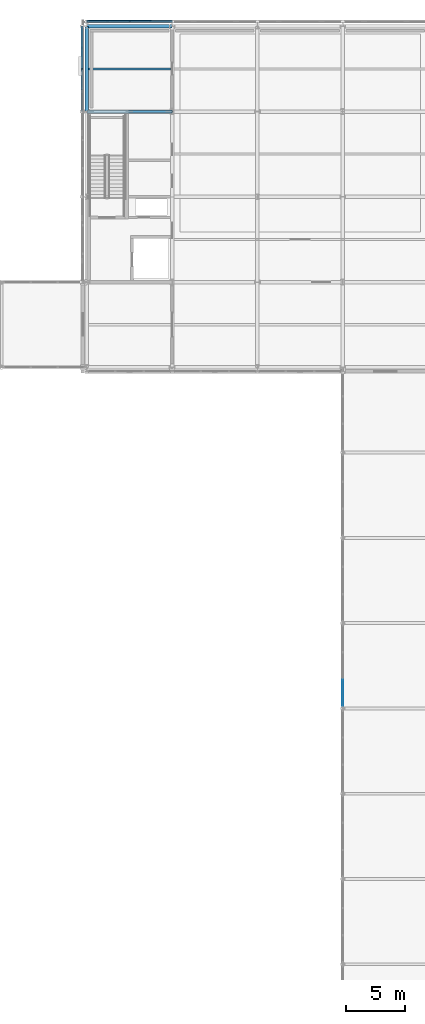
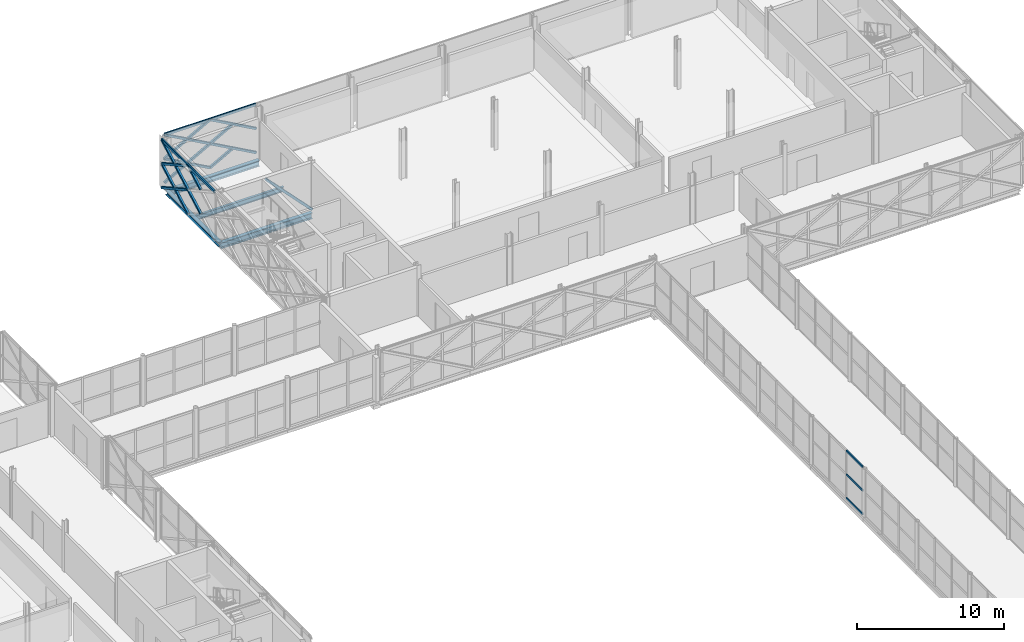
# One storey, part 58 of 146: 24 members, 4 beams, 1 element without a shape of its own.
"""IFC4 building model written with IfcOpenShell, lengths in metres."""

from ifc_helpers import new_model, si_unit, direction, frame, origin, origin_2d, place, context, subcontext, project, spatial, rectangle, hollow_rectangle, i_section, extrude, material, material_profile, profile_set, type_object, element, aggregate, save


model = new_model("IFC4")

# Units and contexts
model_context = context("Model", 3, precision=1e-05, world=origin(), true_north=direction((0.0, 1.0)))
body_context = subcontext(model_context, "Body", "Model", "MODEL_VIEW")
ifc_project = project(units=[si_unit("LENGTHUNIT", "METRE"), si_unit("AREAUNIT", "SQUARE_METRE"), si_unit("VOLUMEUNIT", "CUBIC_METRE"), si_unit("PLANEANGLEUNIT", "RADIAN"), si_unit("MASSUNIT", "GRAM", prefix="KILO")], contexts=[model_context])

# Site, building, storey
site_placement = place(None, origin())
site = spatial("IfcSite", under=ifc_project, at=site_placement, CompositionType="ELEMENT")
building_placement = place(site_placement, origin())
building = spatial("IfcBuilding", under=site, at=building_placement, Name="Zlatovets Crest Museum", CompositionType="ELEMENT")
storey_placement = place(building_placement, frame((0.0, 0.0, 4.5)))
storey = spatial("IfcBuildingStorey", under=building, at=storey_placement, Name="L01", CompositionType="ELEMENT", Elevation=4.5)

# Beams
ifc_material_1 = material(Name="Structural steel S355J2", Category="steel")
ifc_material_profile_1 = material_profile(ifc_material_1, i_section(OverallWidth=0.300048828125, OverallDepth=0.489990234375, WebThickness=0.011962890625, FlangeThickness=0.02294921875, FilletRadius=0.027099609375, at=origin_2d()), Name="HEA 500")
ifc_profile_set_1 = profile_set([ifc_material_profile_1], Name="Structural steel S355J2")
beam_type_1 = type_object("IfcBeamType", Name="Beam_B-01", PredefinedType="BEAM", material=ifc_profile_set_1)
for number, where, z_axis, x_axis, name in (
    (1, (57.60009765625, 108.0, -0.465087890625), (1.0, 0.0, 0.0), (0.0, 1.0, 0.0), "V1 L01 Primary Girder B-01"),
    (2, (57.60009765625, 115.199951171875, -0.465087890625), (1.0, 0.0, 0.0), (0.0, 1.0, 0.0), "V1 L01 Primary Girder B-01"),
):
    element("IfcBeam", number, at=place(storey_placement, frame(where, z_axis=z_axis, x_axis=x_axis)), inside=storey, type_object=beam_type_1, Name=name, PredefinedType="BEAM", context=body_context, shape_type="SweptSolid", body=[
        extrude(i_section(OverallWidth=0.300048828125, OverallDepth=0.489990234375, WebThickness=0.011962890625, FlangeThickness=0.02294921875, FilletRadius=0.027099609375, at=origin_2d()), origin(), (0.0, 0.0, 1.0), 7.199951171875),
    ])
ifc_material_profile_2 = material_profile(ifc_material_1, i_section(OverallWidth=0.300048828125, OverallDepth=0.35009765625, WebThickness=0.010009765625, FlangeThickness=0.017578125, FilletRadius=0.027099609375, at=origin_2d()), Name="HEA 360")
ifc_profile_set_2 = profile_set([ifc_material_profile_2], Name="Structural steel S355J2")
beam_type_2 = type_object("IfcBeamType", Name="Beam_B-03", PredefinedType="BEAM", material=ifc_profile_set_2)
beam_1_placement = place(storey_placement, frame((57.60009765625, 108.0, -0.39501953125), z_axis=(0.0, 1.0, 0.0), x_axis=(-1.0, 0.0, 0.0)))
element("IfcBeam", 3, at=beam_1_placement, inside=storey, type_object=beam_type_2, Name="V1 L01 Grid Beam B-03", PredefinedType="BEAM", context=body_context, shape_type="SweptSolid", body=[
    extrude(i_section(OverallWidth=0.300048828125, OverallDepth=0.35009765625, WebThickness=0.010009765625, FlangeThickness=0.017578125, FilletRadius=0.027099609375, at=origin_2d()), origin(), (0.0, 0.0, 1.0), 7.199951171875),
])
ifc_material_profile_3 = material_profile(ifc_material_1, i_section(OverallWidth=0.179931640625, OverallDepth=0.39990234375, WebThickness=0.008544921875, FlangeThickness=0.013427734375, FilletRadius=0.02099609375, at=origin_2d()), Name="IPE 400")
ifc_profile_set_3 = profile_set([ifc_material_profile_3], Name="Structural steel S355J2")
beam_type_3 = type_object("IfcBeamType", Name="Beam_J-04", PredefinedType="JOIST", material=ifc_profile_set_3)
beam_2_placement = place(storey_placement, frame((57.75, 111.60009765625, -0.419921875), z_axis=(1.0, 0.0, 0.0), x_axis=(0.0, 1.0, 0.0)))
element("IfcBeam", 4, at=beam_2_placement, inside=storey, type_object=beam_type_3, Name="V1 L01 Composite Joist J-04", PredefinedType="JOIST", context=body_context, shape_type="SweptSolid", body=[
    extrude(i_section(OverallWidth=0.179931640625, OverallDepth=0.39990234375, WebThickness=0.008544921875, FlangeThickness=0.013427734375, FilletRadius=0.02099609375, at=origin_2d()), origin(), (0.0, 0.0, 1.0), 6.89990234375),
])

# Curtain wall, members
ifc_material_2 = material(Name="Bronze-anodised aluminium and low-E triple glass", Category="aluminium")
curtain_wall_type = type_object("IfcCurtainWallType", Name="CW_CW-BR5-L01-S69", PredefinedType="NOTDEFINED", material=ifc_material_2)
curtain_wall_placement = place(storey_placement, origin())
curtain_wall = element("IfcCurtainWall", 5, at=curtain_wall_placement, inside=storey, type_object=curtain_wall_type, Name="Central Sculpture Court Cloister and Skywalk L01 Glazed Bridge Curtain Wall", PredefinedType="NOTDEFINED")
ifc_material_3 = material(Name="Bronze-anodised aluminium EN AW-6060", Category="aluminium")
ifc_material_profile_4 = material_profile(ifc_material_3, rectangle(XDim=0.080078125, YDim=0.159912109375, at=origin_2d()), Name="ALU 80x160")
ifc_profile_set_4 = profile_set([ifc_material_profile_4], Name="Bronze-anodised aluminium EN AW-6060")
member_type_1 = type_object("IfcMemberType", Name="CWTrans_T1", PredefinedType="USERDEFINED", material=ifc_profile_set_4)
member_1_placement = place(storey_placement, frame((79.199951171875, 57.81005859375, 0.030029296875), z_axis=(0.0, 1.0, 0.0), x_axis=(-1.0, 0.0, 0.0)))
member_1 = element("IfcMember", 6, at=member_1_placement, type_object=member_type_1, Name="CW-BR5-L01-S69 transom 1.1", ObjectType="TRANSOM", PredefinedType="USERDEFINED", context=body_context, shape_type="SweptSolid", body=[
    extrude(rectangle(XDim=0.080078125, YDim=0.159912109375, at=origin_2d()), origin(), (0.0, 0.0, 1.0), 2.2099609375),
])
member_2_placement = place(storey_placement, frame((79.199951171875, 57.81005859375, 1.989990234375), z_axis=(0.0, 1.0, 0.0), x_axis=(-1.0, 0.0, 0.0)))
member_2 = element("IfcMember", 7, at=member_2_placement, type_object=member_type_1, Name="CW-BR5-L01-S69 transom 1.2", ObjectType="TRANSOM", PredefinedType="USERDEFINED", context=body_context, shape_type="SweptSolid", body=[
    extrude(rectangle(XDim=0.080078125, YDim=0.159912109375, at=origin_2d()), origin(), (0.0, 0.0, 1.0), 2.2099609375),
])
member_3_placement = place(storey_placement, frame((79.199951171875, 57.81005859375, 3.949951171875), z_axis=(0.0, 1.0, 0.0), x_axis=(-1.0, 0.0, 0.0)))
member_3 = element("IfcMember", 8, at=member_3_placement, type_object=member_type_1, Name="CW-BR5-L01-S69 transom 1.3", ObjectType="TRANSOM", PredefinedType="USERDEFINED", context=body_context, shape_type="SweptSolid", body=[
    extrude(rectangle(XDim=0.080078125, YDim=0.159912109375, at=origin_2d()), origin(), (0.0, 0.0, 1.0), 2.2099609375),
])
aggregate(curtain_wall, [member_1, member_2, member_3])

# Members
ifc_material_4 = material(Name="Weathering bronze-steel S355J2W", Category="steel")
ifc_material_profile_5 = material_profile(ifc_material_4, hollow_rectangle(XDim=0.179931640625, YDim=0.179931640625, WallThickness=0.010009765625, InnerFilletRadius=0.010009765625, OuterFilletRadius=0.02001953125, at=origin_2d()), Name="SHS 180x180x10.0")
ifc_profile_set_5 = profile_set([ifc_material_profile_5], Name="Weathering bronze-steel S355J2W")
member_type_2 = type_object("IfcMemberType", Name="Lattice_XL-01", PredefinedType="BRACE", material=ifc_profile_set_5)
member_4_placement = place(storey_placement, frame((64.800048828125, 115.6201171875, 0.10009765625), z_axis=(-0.874162868644, 0.0, 0.485632864501), x_axis=(0.0, -1.0, 0.0)))
element("IfcMember", 9, at=member_4_placement, inside=storey, type_object=member_type_2, Name="Continuous Bronze Lattice Diagonal", PredefinedType="BRACE", context=body_context, shape_type="SweptSolid", body=[
    extrude(hollow_rectangle(XDim=0.179931640625, YDim=0.179931640625, WallThickness=0.010009765625, InnerFilletRadius=0.010009765625, OuterFilletRadius=0.02001953125, at=origin_2d()), origin(), (0.0, 0.0, 1.0), 4.118408203125),
])
member_5_placement = place(storey_placement, frame((62.9169921875, 115.6201171875, 1.053955078125), z_axis=(-0.874169001841, 0.0, -0.485621824284), x_axis=(0.0, -1.0, 0.0)))
element("IfcMember", 10, at=member_5_placement, inside=storey, type_object=member_type_2, Name="Split Crossing Bronze Lattice Diagonal Lower", PredefinedType="BRACE", context=body_context, shape_type="SweptSolid", body=[
    extrude(hollow_rectangle(XDim=0.179931640625, YDim=0.179931640625, WallThickness=0.010009765625, InnerFilletRadius=0.010009765625, OuterFilletRadius=0.02001953125, at=origin_2d()), origin(), (0.0, 0.0, 1.0), 1.964111328125),
])
member_6_placement = place(storey_placement, frame((61.199951171875, 115.6201171875, 0.10009765625), z_axis=(-0.874148886685, 0.0, 0.485658031857), x_axis=(0.0, -1.0, 0.0)))
element("IfcMember", 11, at=member_6_placement, inside=storey, type_object=member_type_2, Name="Continuous Bronze Lattice Diagonal", PredefinedType="BRACE", context=body_context, shape_type="SweptSolid", body=[
    extrude(hollow_rectangle(XDim=0.179931640625, YDim=0.179931640625, WallThickness=0.010009765625, InnerFilletRadius=0.010009765625, OuterFilletRadius=0.02001953125, at=origin_2d()), origin(), (0.0, 0.0, 1.0), 4.1181640625),
])
member_7_placement = place(storey_placement, frame((61.199951171875, 115.6201171875, 2.10009765625), z_axis=(-0.874116234569, 0.0, -0.48571679862), x_axis=(0.0, -1.0, 0.0)))
element("IfcMember", 12, at=member_7_placement, inside=storey, type_object=member_type_2, Name="Split Crossing Bronze Lattice Diagonal Upper", PredefinedType="BRACE", context=body_context, shape_type="SweptSolid", body=[
    extrude(hollow_rectangle(XDim=0.179931640625, YDim=0.179931640625, WallThickness=0.010009765625, InnerFilletRadius=0.010009765625, OuterFilletRadius=0.02001953125, at=origin_2d()), origin(), (0.0, 0.0, 1.0), 1.96435546875),
])
member_8_placement = place(storey_placement, frame((59.31689453125, 115.6201171875, 1.053955078125), z_axis=(-0.874139684676, 0.0, -0.48567459443), x_axis=(0.0, -1.0, 0.0)))
element("IfcMember", 13, at=member_8_placement, inside=storey, type_object=member_type_2, Name="Split Crossing Bronze Lattice Diagonal Lower", PredefinedType="BRACE", context=body_context, shape_type="SweptSolid", body=[
    extrude(hollow_rectangle(XDim=0.179931640625, YDim=0.179931640625, WallThickness=0.010009765625, InnerFilletRadius=0.010009765625, OuterFilletRadius=0.02001953125, at=origin_2d()), origin(), (0.0, 0.0, 1.0), 1.9638671875),
])
member_9_placement = place(storey_placement, frame((64.800048828125, 115.6201171875, 2.10009765625), z_axis=(-0.874162868644, 0.0, 0.485632864501), x_axis=(0.0, -1.0, 0.0)))
element("IfcMember", 14, at=member_9_placement, inside=storey, type_object=member_type_2, Name="Continuous Bronze Lattice Diagonal", PredefinedType="BRACE", context=body_context, shape_type="SweptSolid", body=[
    extrude(hollow_rectangle(XDim=0.179931640625, YDim=0.179931640625, WallThickness=0.010009765625, InnerFilletRadius=0.010009765625, OuterFilletRadius=0.02001953125, at=origin_2d()), origin(), (0.0, 0.0, 1.0), 4.118408203125),
])
member_10_placement = place(storey_placement, frame((62.9169921875, 115.6201171875, 3.053955078125), z_axis=(-0.874169001841, 0.0, -0.485621824284), x_axis=(0.0, -1.0, 0.0)))
element("IfcMember", 15, at=member_10_placement, inside=storey, type_object=member_type_2, Name="Split Crossing Bronze Lattice Diagonal Lower", PredefinedType="BRACE", context=body_context, shape_type="SweptSolid", body=[
    extrude(hollow_rectangle(XDim=0.179931640625, YDim=0.179931640625, WallThickness=0.010009765625, InnerFilletRadius=0.010009765625, OuterFilletRadius=0.02001953125, at=origin_2d()), origin(), (0.0, 0.0, 1.0), 1.964111328125),
])
member_11_placement = place(storey_placement, frame((61.199951171875, 115.6201171875, 2.10009765625), z_axis=(-0.874148886685, 0.0, 0.485658031857), x_axis=(0.0, -1.0, 0.0)))
element("IfcMember", 16, at=member_11_placement, inside=storey, type_object=member_type_2, Name="Continuous Bronze Lattice Diagonal", PredefinedType="BRACE", context=body_context, shape_type="SweptSolid", body=[
    extrude(hollow_rectangle(XDim=0.179931640625, YDim=0.179931640625, WallThickness=0.010009765625, InnerFilletRadius=0.010009765625, OuterFilletRadius=0.02001953125, at=origin_2d()), origin(), (0.0, 0.0, 1.0), 4.1181640625),
])
member_12_placement = place(storey_placement, frame((61.199951171875, 115.6201171875, 4.10009765625), z_axis=(-0.874116234569, 0.0, -0.48571679862), x_axis=(0.0, -1.0, 0.0)))
element("IfcMember", 17, at=member_12_placement, inside=storey, type_object=member_type_2, Name="Split Crossing Bronze Lattice Diagonal Upper", PredefinedType="BRACE", context=body_context, shape_type="SweptSolid", body=[
    extrude(hollow_rectangle(XDim=0.179931640625, YDim=0.179931640625, WallThickness=0.010009765625, InnerFilletRadius=0.010009765625, OuterFilletRadius=0.02001953125, at=origin_2d()), origin(), (0.0, 0.0, 1.0), 1.96435546875),
])
member_13_placement = place(storey_placement, frame((59.31689453125, 115.6201171875, 3.053955078125), z_axis=(-0.874139684676, 0.0, -0.48567459443), x_axis=(0.0, -1.0, 0.0)))
element("IfcMember", 18, at=member_13_placement, inside=storey, type_object=member_type_2, Name="Split Crossing Bronze Lattice Diagonal Lower", PredefinedType="BRACE", context=body_context, shape_type="SweptSolid", body=[
    extrude(hollow_rectangle(XDim=0.179931640625, YDim=0.179931640625, WallThickness=0.010009765625, InnerFilletRadius=0.010009765625, OuterFilletRadius=0.02001953125, at=origin_2d()), origin(), (0.0, 0.0, 1.0), 1.9638671875),
])
member_14_placement = place(storey_placement, frame((57.179931640625, 115.199951171875, 0.10009765625), z_axis=(0.0, -0.874148886685, 0.485658031857), x_axis=(1.0, 0.0, 0.0)))
element("IfcMember", 19, at=member_14_placement, inside=storey, type_object=member_type_2, Name="Continuous Bronze Lattice Diagonal", PredefinedType="BRACE", context=body_context, shape_type="SweptSolid", body=[
    extrude(hollow_rectangle(XDim=0.179931640625, YDim=0.179931640625, WallThickness=0.010009765625, InnerFilletRadius=0.010009765625, OuterFilletRadius=0.02001953125, at=origin_2d()), origin(), (0.0, 0.0, 1.0), 4.1181640625),
])
member_15_placement = place(storey_placement, frame((57.179931640625, 115.199951171875, 2.10009765625), z_axis=(0.0, -0.874116234569, -0.48571679862), x_axis=(1.0, 0.0, 0.0)))
element("IfcMember", 20, at=member_15_placement, inside=storey, type_object=member_type_2, Name="Split Crossing Bronze Lattice Diagonal Upper", PredefinedType="BRACE", context=body_context, shape_type="SweptSolid", body=[
    extrude(hollow_rectangle(XDim=0.179931640625, YDim=0.179931640625, WallThickness=0.010009765625, InnerFilletRadius=0.010009765625, OuterFilletRadius=0.02001953125, at=origin_2d()), origin(), (0.0, 0.0, 1.0), 1.96435546875),
])
member_16_placement = place(storey_placement, frame((57.179931640625, 113.31689453125, 1.053955078125), z_axis=(0.0, -0.874139684676, -0.48567459443), x_axis=(1.0, 0.0, 0.0)))
element("IfcMember", 21, at=member_16_placement, inside=storey, type_object=member_type_2, Name="Split Crossing Bronze Lattice Diagonal Lower", PredefinedType="BRACE", context=body_context, shape_type="SweptSolid", body=[
    extrude(hollow_rectangle(XDim=0.179931640625, YDim=0.179931640625, WallThickness=0.010009765625, InnerFilletRadius=0.010009765625, OuterFilletRadius=0.02001953125, at=origin_2d()), origin(), (0.0, 0.0, 1.0), 1.9638671875),
])
member_17_placement = place(storey_placement, frame((57.179931640625, 111.60009765625, 2.10009765625), z_axis=(0.0, -0.874116234569, -0.48571679862), x_axis=(1.0, 0.0, 0.0)))
element("IfcMember", 22, at=member_17_placement, inside=storey, type_object=member_type_2, Name="Split Crossing Bronze Lattice Diagonal Upper", PredefinedType="BRACE", context=body_context, shape_type="SweptSolid", body=[
    extrude(hollow_rectangle(XDim=0.179931640625, YDim=0.179931640625, WallThickness=0.010009765625, InnerFilletRadius=0.010009765625, OuterFilletRadius=0.02001953125, at=origin_2d()), origin(), (0.0, 0.0, 1.0), 1.96435546875),
])
member_18_placement = place(storey_placement, frame((57.179931640625, 115.199951171875, 2.10009765625), z_axis=(0.0, -0.874148886685, 0.485658031857), x_axis=(1.0, 0.0, 0.0)))
element("IfcMember", 23, at=member_18_placement, inside=storey, type_object=member_type_2, Name="Continuous Bronze Lattice Diagonal", PredefinedType="BRACE", context=body_context, shape_type="SweptSolid", body=[
    extrude(hollow_rectangle(XDim=0.179931640625, YDim=0.179931640625, WallThickness=0.010009765625, InnerFilletRadius=0.010009765625, OuterFilletRadius=0.02001953125, at=origin_2d()), origin(), (0.0, 0.0, 1.0), 4.1181640625),
])
member_19_placement = place(storey_placement, frame((57.179931640625, 115.199951171875, 4.10009765625), z_axis=(0.0, -0.874116234569, -0.48571679862), x_axis=(1.0, 0.0, 0.0)))
element("IfcMember", 24, at=member_19_placement, inside=storey, type_object=member_type_2, Name="Split Crossing Bronze Lattice Diagonal Upper", PredefinedType="BRACE", context=body_context, shape_type="SweptSolid", body=[
    extrude(hollow_rectangle(XDim=0.179931640625, YDim=0.179931640625, WallThickness=0.010009765625, InnerFilletRadius=0.010009765625, OuterFilletRadius=0.02001953125, at=origin_2d()), origin(), (0.0, 0.0, 1.0), 1.96435546875),
])
member_20_placement = place(storey_placement, frame((57.179931640625, 113.31689453125, 3.053955078125), z_axis=(0.0, -0.874139684676, -0.48567459443), x_axis=(1.0, 0.0, 0.0)))
element("IfcMember", 25, at=member_20_placement, inside=storey, type_object=member_type_2, Name="Split Crossing Bronze Lattice Diagonal Lower", PredefinedType="BRACE", context=body_context, shape_type="SweptSolid", body=[
    extrude(hollow_rectangle(XDim=0.179931640625, YDim=0.179931640625, WallThickness=0.010009765625, InnerFilletRadius=0.010009765625, OuterFilletRadius=0.02001953125, at=origin_2d()), origin(), (0.0, 0.0, 1.0), 1.9638671875),
])
member_21_placement = place(storey_placement, frame((57.179931640625, 111.60009765625, 4.10009765625), z_axis=(0.0, -0.874116234569, -0.48571679862), x_axis=(1.0, 0.0, 0.0)))
element("IfcMember", 26, at=member_21_placement, inside=storey, type_object=member_type_2, Name="Split Crossing Bronze Lattice Diagonal Upper", PredefinedType="BRACE", context=body_context, shape_type="SweptSolid", body=[
    extrude(hollow_rectangle(XDim=0.179931640625, YDim=0.179931640625, WallThickness=0.010009765625, InnerFilletRadius=0.010009765625, OuterFilletRadius=0.02001953125, at=origin_2d()), origin(), (0.0, 0.0, 1.0), 1.96435546875),
])
ifc_material_profile_6 = material_profile(ifc_material_4, hollow_rectangle(XDim=0.1201171875, YDim=0.239990234375, WallThickness=0.010009765625, InnerFilletRadius=0.010009765625, OuterFilletRadius=0.02001953125, at=origin_2d()), Name="RHS 120x240x10.0")
ifc_profile_set_6 = profile_set([ifc_material_profile_6], Name="Weathering bronze-steel S355J2W")
member_type_3 = type_object("IfcMemberType", Name="Lattice_XL-04", PredefinedType="CHORD", material=ifc_profile_set_6)
for number, where, z_axis, x_axis, name in (
    (27, (64.800048828125, 115.6201171875, 4.10009765625), (-1.0, 0.0, 0.0), (0.0, -1.0, 0.0), "Art Nouveau Woven Cage Collector Ring Chord"),
    (28, (57.179931640625, 115.199951171875, 4.10009765625), (0.0, -1.0, 0.0), (1.0, 0.0, 0.0), "Art Nouveau Woven Cage Collector Ring Chord"),
):
    element("IfcMember", number, at=place(storey_placement, frame(where, z_axis=z_axis, x_axis=x_axis)), inside=storey, type_object=member_type_3, Name=name, PredefinedType="CHORD", context=body_context, shape_type="SweptSolid", body=[
        extrude(hollow_rectangle(XDim=0.1201171875, YDim=0.239990234375, WallThickness=0.010009765625, InnerFilletRadius=0.010009765625, OuterFilletRadius=0.02001953125, at=origin_2d()), origin(), (0.0, 0.0, 1.0), 7.199951171875),
    ])
ifc_material_profile_7 = material_profile(ifc_material_1, hollow_rectangle(XDim=0.199951171875, YDim=0.199951171875, WallThickness=0.012451171875, InnerFilletRadius=0.012451171875, OuterFilletRadius=0.02490234375, at=origin_2d()), Name="SHS 200x200x12.5")
ifc_profile_set_7 = profile_set([ifc_material_profile_7], Name="Structural steel S355J2")
member_type_4 = type_object("IfcMemberType", Name="Member_BR-01", PredefinedType="BRACE", material=ifc_profile_set_7)
member_22_placement = place(storey_placement, frame((64.800048828125, 108.0, 0.0), z_axis=(-0.692541604294, 0.0, 0.721377935844), x_axis=(0.0, -1.0, 0.0)))
element("IfcMember", 29, at=member_22_placement, inside=storey, type_object=member_type_4, Name="V1 L01 Concentric Seismic Brace", PredefinedType="BRACE", context=body_context, shape_type="SweptSolid", body=[
    extrude(hollow_rectangle(XDim=0.199951171875, YDim=0.199951171875, WallThickness=0.012451171875, InnerFilletRadius=0.012451171875, OuterFilletRadius=0.02490234375, at=origin_2d()), origin(), (0.0, 0.0, 1.0), 5.198486328125),
])

save(model, "model.ifc")
